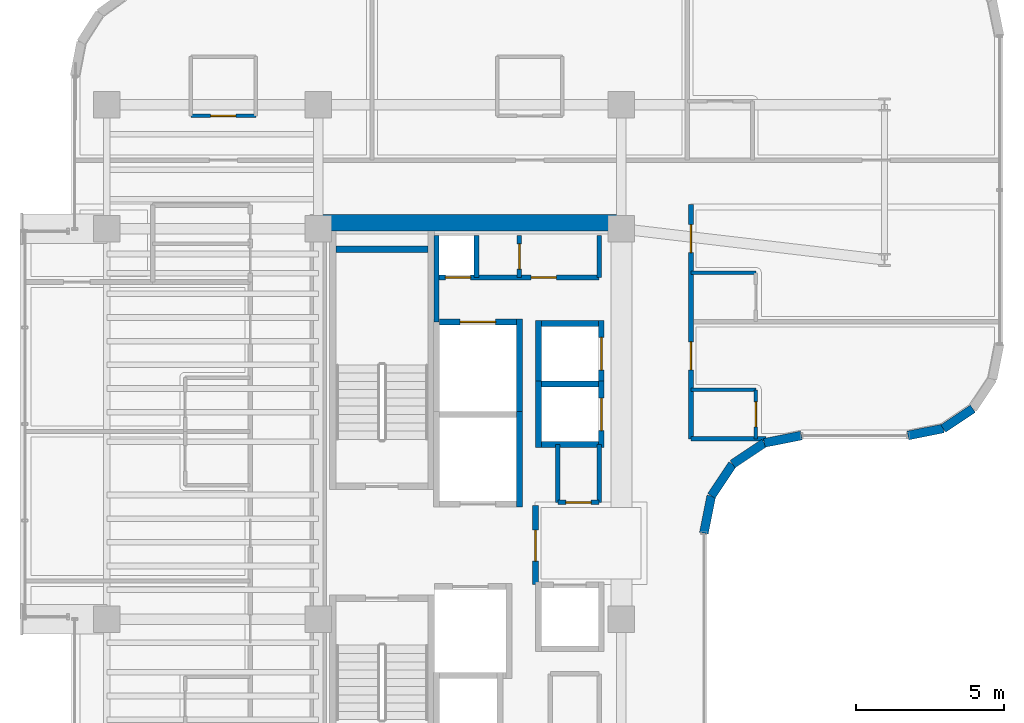
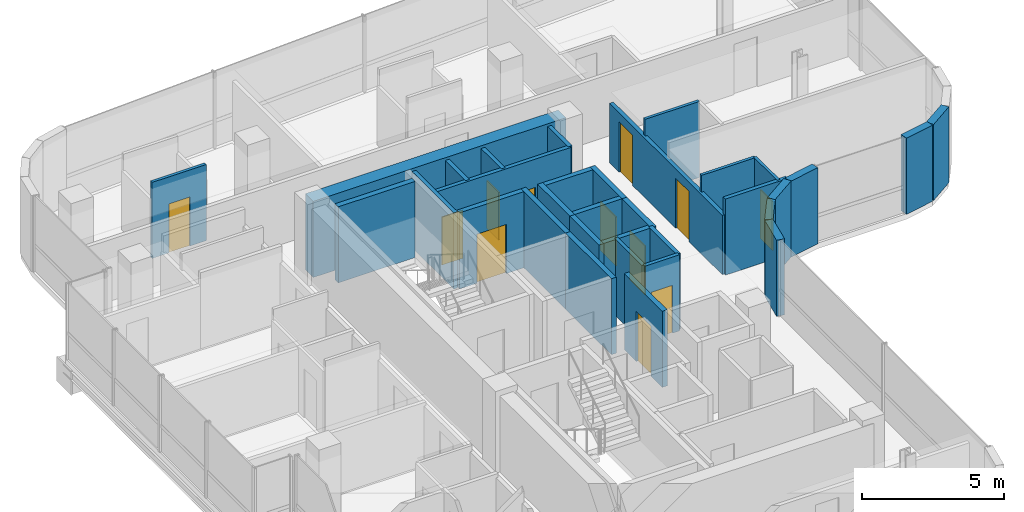
# One storey, part 18 of 22: 33 walls, 12 doors, 12 openings.
"""IFC4 building model written with IfcOpenShell, lengths in metres."""

from ifc_helpers import new_model, si_unit, direction, frame, frame_2d, origin, place, context, subcontext, project, spatial, rectangle, extrude, material, layer, layer_set, type_object, element, fill, save


model = new_model("IFC4")

# Units and contexts
model_context = context("Model", 3, precision=1e-05, world=origin(), true_north=direction((0.0, 1.0)))
body_context = subcontext(model_context, "Body", "Model", "MODEL_VIEW")
ifc_project = project(units=[si_unit("LENGTHUNIT", "METRE"), si_unit("AREAUNIT", "SQUARE_METRE"), si_unit("VOLUMEUNIT", "CUBIC_METRE"), si_unit("PLANEANGLEUNIT", "RADIAN"), si_unit("MASSUNIT", "GRAM", prefix="KILO")], contexts=[model_context])

# Site, building, storey
site_placement = place(None, origin())
site = spatial("IfcSite", under=ifc_project, at=site_placement, CompositionType="ELEMENT")
building_placement = place(site_placement, origin())
building = spatial("IfcBuilding", under=site, at=building_placement, Name="Valdorenza Pilgrim Sanctuary Tower", CompositionType="ELEMENT")
storey_placement = place(building_placement, frame((0.0, 0.0, 212.5)))
storey = spatial("IfcBuildingStorey", under=building, at=storey_placement, Name="L54", CompositionType="ELEMENT", Elevation=212.5)

# Wall
ifc_material_1 = material(Name="Acoustic twin-stud gypsum partition", Category="gypsum")
ifc_layer_1 = layer(ifc_material_1, 0.159912109375, Name="Acoustic twin-stud gypsum partition")
ifc_layer_set_1 = layer_set([ifc_layer_1], Name="Acoustic twin-stud gypsum partition")
wall_type_1 = type_object("IfcWallType", Name="WAL-COR-160", PredefinedType="PARTITIONING", material=ifc_layer_set_1)
wall_1_placement = place(storey_placement, frame((-18.64990234375, 7.449951171875, 0.0), z_axis=(0.0, 0.0, 1.0), x_axis=(0.0, 1.0, 0.0)))
element("IfcWall", 1, at=wall_1_placement, inside=storey, type_object=wall_type_1, Name="L54 Core A North Service West Wall", PredefinedType="PARTITIONING", context=body_context, shape_type="SweptSolid", body=[
    extrude(rectangle(XDim=2.929931640625, YDim=0.159912109375, at=frame_2d((1.46484375, 0.0))), origin(), (0.0, 0.0, 1.0), 3.260009765625),
])

# Wall, openings, doors
wall_2_placement = place(storey_placement, frame((-18.64990234375, 8.949951171875, 0.0), z_axis=(0.0, 0.0, 1.0), x_axis=(1.0, 0.0, 0.0)))
wall_2 = element("IfcWall", 2, at=wall_2_placement, inside=storey, type_object=wall_type_1, Name="L54 Core A North Service South Wall", PredefinedType="PARTITIONING", context=body_context, shape_type="SweptSolid", body=[
    extrude(rectangle(XDim=5.5, YDim=0.159912109375, at=frame_2d((2.75, 0.0))), origin(), (0.0, 0.0, 1.0), 3.260009765625),
])
opening_1_placement = place(wall_2_placement, frame((0.300048828125, 0.0, 0.0)))
opening_1 = element("IfcOpeningElement", 3, at=opening_1_placement, cuts=wall_2, Name="Opening DR-RS1", PredefinedType="OPENING", context=body_context, shape_type="SweptSolid", body=[
    extrude(rectangle(XDim=0.85009765625, YDim=2.050048828125, at=frame_2d((0.425048828125, 1.02490234375))), frame((0.0, 0.0947265625, 0.0), z_axis=(0.0, -1.0, 0.0), x_axis=(1.0, 0.0, 0.0)), (0.0, 0.0, 1.0), 0.189697265625),
])
opening_2_placement = place(wall_2_placement, frame((3.199951171875, 0.0, 0.0)))
opening_2 = element("IfcOpeningElement", 4, at=opening_2_placement, cuts=wall_2, Name="Opening DR-RS1", PredefinedType="OPENING", context=body_context, shape_type="SweptSolid", body=[
    extrude(rectangle(XDim=0.85009765625, YDim=2.050048828125, at=frame_2d((0.425048828125, 1.02490234375))), frame((0.0, 0.0947265625, 0.0), z_axis=(0.0, -1.0, 0.0), x_axis=(1.0, 0.0, 0.0)), (0.0, 0.0, 1.0), 0.189697265625),
])
ifc_material_2 = material(Name="Painted galvanized steel", Category="steel")
door_type_1 = type_object("IfcDoorType", Name="DR-RSR-850", OperationType="NOTDEFINED", PredefinedType="DOOR", material=ifc_material_2)
door_1_placement = place(opening_1_placement, origin())
door_1 = element("IfcDoor", 5, at=door_1_placement, inside=storey, type_object=door_type_1, Name="L54 Core Electrical and Telecom Riser Door", OperationType="SINGLE_SWING_LEFT", OverallHeight=2.050048828125, OverallWidth=0.85009765625, PredefinedType="DOOR", context=body_context, shape_type="SweptSolid", body=[
    extrude(rectangle(XDim=0.85009765625, YDim=2.050048828125, at=frame_2d((0.425048828125, 1.02490234375))), frame((0.0, 0.02490234375, 0.0), z_axis=(0.0, -1.0, 0.0), x_axis=(1.0, 0.0, 0.0)), (0.0, 0.0, 1.0), 0.050048828125),
])
fill(opening_1, door_1)
door_2_placement = place(opening_2_placement, origin())
door_2 = element("IfcDoor", 6, at=door_2_placement, inside=storey, type_object=door_type_1, Name="L54 Housekeeping and Clean Linen Room Door", OperationType="SINGLE_SWING_RIGHT", OverallHeight=2.050048828125, OverallWidth=0.85009765625, PredefinedType="DOOR", context=body_context, shape_type="SweptSolid", body=[
    extrude(rectangle(XDim=0.85009765625, YDim=2.050048828125, at=frame_2d((0.425048828125, 1.02490234375))), frame((0.0, 0.02490234375, 0.0), z_axis=(0.0, -1.0, 0.0), x_axis=(1.0, 0.0, 0.0)), (0.0, 0.0, 1.0), 0.050048828125),
])
fill(opening_2, door_2)

# Walls
for number, where, z_axis, x_axis, name in (
    (7, (-13.14990234375, 8.949951171875, 0.0), (0.0, 0.0, 1.0), (0.0, 1.0, 0.0), "L54 Core A North Service East Wall"),
    (8, (-17.300048828125, 8.949951171875, 0.0), (0.0, 0.0, 1.0), (0.0, 1.0, 0.0), "L54 Core Electrical Riser Wall"),
):
    element("IfcWall", number, at=place(storey_placement, frame(where, z_axis=z_axis, x_axis=x_axis)), inside=storey, type_object=wall_type_1, Name=name, PredefinedType="PARTITIONING", context=body_context, shape_type="SweptSolid", body=[
        extrude(rectangle(XDim=1.429931640625, YDim=0.159912109375, at=frame_2d((0.71484375, 0.0))), origin(), (0.0, 0.0, 1.0), 3.260009765625),
    ])

# Wall, opening, door
wall_3_placement = place(storey_placement, frame((-15.85009765625, 8.949951171875, 0.0), z_axis=(0.0, 0.0, 1.0), x_axis=(0.0, 1.0, 0.0)))
wall_3 = element("IfcWall", 9, at=wall_3_placement, inside=storey, type_object=wall_type_1, Name="L54 Core A Split C", PredefinedType="PARTITIONING", context=body_context, shape_type="SweptSolid", body=[
    extrude(rectangle(XDim=1.429931640625, YDim=0.159912109375, at=frame_2d((0.71484375, 0.0))), origin(), (0.0, 0.0, 1.0), 3.260009765625),
])
opening_3_placement = place(wall_3_placement, frame((0.2900390625, 0.0, 0.0)))
opening_3 = element("IfcOpeningElement", 10, at=opening_3_placement, cuts=wall_3, Name="Opening DR-RS1", PredefinedType="OPENING", context=body_context, shape_type="SweptSolid", body=[
    extrude(rectangle(XDim=0.85009765625, YDim=2.050048828125, at=frame_2d((0.425048828125, 1.02490234375))), frame((0.0, 0.0947265625, 0.0), z_axis=(0.0, -1.0, 0.0), x_axis=(1.0, 0.0, 0.0)), (0.0, 0.0, 1.0), 0.189697265625),
])
door_3_placement = place(opening_3_placement, origin())
door_3 = element("IfcDoor", 11, at=door_3_placement, inside=storey, type_object=door_type_1, Name="L54 Clean Linen Supply Store Door", OperationType="SINGLE_SWING_LEFT", OverallHeight=2.050048828125, OverallWidth=0.85009765625, PredefinedType="DOOR", context=body_context, shape_type="SweptSolid", body=[
    extrude(rectangle(XDim=0.85009765625, YDim=2.050048828125, at=frame_2d((0.425048828125, 1.02490234375))), frame((0.0, 0.02490234375, 0.0), z_axis=(0.0, -1.0, 0.0), x_axis=(1.0, 0.0, 0.0)), (0.0, 0.0, 1.0), 0.050048828125),
])
fill(opening_3, door_3)

# Wall
wall_4_placement = place(storey_placement, frame((-13.14990234375, 1.35009765625, 0.0), z_axis=(0.0, 0.0, 1.0), x_axis=(0.0, 1.0, 0.0)))
element("IfcWall", 12, at=wall_4_placement, inside=storey, type_object=wall_type_1, Name="L54 Freed Shaft 6 East Wall", PredefinedType="PARTITIONING", context=body_context, shape_type="SweptSolid", body=[
    extrude(rectangle(XDim=1.949951171875, YDim=0.159912109375, at=frame_2d((0.97509765625, 0.0))), origin(), (0.0, 0.0, 1.0), 3.260009765625),
])

# Wall, openings, doors
wall_5_placement = place(storey_placement, frame((-10.050048828125, 3.5, 0.0), z_axis=(0.0, 0.0, 1.0), x_axis=(0.0, 1.0, 0.0)))
wall_5 = element("IfcWall", 13, at=wall_5_placement, inside=storey, type_object=wall_type_1, Name="L54 East Stub Corridor Wall", PredefinedType="PARTITIONING", context=body_context, shape_type="SweptSolid", body=[
    extrude(rectangle(XDim=7.919921875, YDim=0.159912109375, at=frame_2d((3.9599609375, 0.0))), origin(), (0.0, 0.0, 1.0), 2.5439453125),
])
opening_4_placement = place(wall_5_placement, frame((2.330078125, 0.0, 0.0)))
opening_4 = element("IfcOpeningElement", 14, at=opening_4_placement, cuts=wall_5, Name="Opening DR-UN1", PredefinedType="OPENING", context=body_context, shape_type="SweptSolid", body=[
    extrude(rectangle(XDim=0.949951171875, YDim=2.14990234375, at=frame_2d((0.47509765625, 1.074951171875))), frame((0.0, 0.0947265625, 0.0), z_axis=(0.0, -1.0, 0.0), x_axis=(1.0, 0.0, 0.0)), (0.0, 0.0, 1.0), 0.189697265625),
])
opening_5_placement = place(wall_5_placement, frame((6.2900390625, 0.0, 0.0)))
opening_5 = element("IfcOpeningElement", 15, at=opening_5_placement, cuts=wall_5, Name="Opening DR-UN1", PredefinedType="OPENING", context=body_context, shape_type="SweptSolid", body=[
    extrude(rectangle(XDim=0.949951171875, YDim=2.14990234375, at=frame_2d((0.47509765625, 1.074951171875))), frame((0.0, 0.0947265625, 0.0), z_axis=(0.0, -1.0, 0.0), x_axis=(1.0, 0.0, 0.0)), (0.0, 0.0, 1.0), 0.189697265625),
])
ifc_material_3 = material(Name="Solid-core European oak timber", Category="wood")
door_type_2 = type_object("IfcDoorType", Name="DR-UNIT-950", OperationType="NOTDEFINED", PredefinedType="DOOR", material=ifc_material_3)
door_4_placement = place(opening_4_placement, origin())
door_4 = element("IfcDoor", 16, at=door_4_placement, inside=storey, type_object=door_type_2, Name="L54 East Sanctuary Guest Room L54-E1 Entrance Door", OperationType="SINGLE_SWING_RIGHT", OverallHeight=2.14990234375, OverallWidth=0.949951171875, PredefinedType="DOOR", context=body_context, shape_type="SweptSolid", body=[
    extrude(rectangle(XDim=0.949951171875, YDim=2.14990234375, at=frame_2d((0.47509765625, 1.074951171875))), frame((0.0, 0.02490234375, 0.0), z_axis=(0.0, -1.0, 0.0), x_axis=(1.0, 0.0, 0.0)), (0.0, 0.0, 1.0), 0.050048828125),
])
fill(opening_4, door_4)
door_5_placement = place(opening_5_placement, origin())
door_5 = element("IfcDoor", 17, at=door_5_placement, inside=storey, type_object=door_type_2, Name="L54 East Sanctuary Guest Room L54-E2 Entrance Door", OperationType="SINGLE_SWING_RIGHT", OverallHeight=2.14990234375, OverallWidth=0.949951171875, PredefinedType="DOOR", context=body_context, shape_type="SweptSolid", body=[
    extrude(rectangle(XDim=0.949951171875, YDim=2.14990234375, at=frame_2d((0.47509765625, 1.074951171875))), frame((0.0, 0.02490234375, 0.0), z_axis=(0.0, -1.0, 0.0), x_axis=(1.0, 0.0, 0.0)), (0.0, 0.0, 1.0), 0.050048828125),
])
fill(opening_5, door_5)

# Walls
wall_6_placement = place(storey_placement, frame((-10.050048828125, 3.5, 0.0), z_axis=(0.0, 0.0, 1.0), x_axis=(1.0, 0.0, 0.0)))
element("IfcWall", 18, at=wall_6_placement, inside=storey, type_object=wall_type_1, Name="L54 East Stub South Wall", PredefinedType="PARTITIONING", context=body_context, shape_type="SweptSolid", body=[
    extrude(rectangle(XDim=2.545654296875, YDim=0.159912109375, at=frame_2d((1.27294921875, 0.0))), origin(), (0.0, 0.0, 1.0), 3.260009765625),
])
ifc_material_4 = material(Name="Concrete C50/60", Category="concrete")
ifc_layer_2 = layer(ifc_material_4, 0.550048828125, Name="Concrete C50/60")
ifc_layer_set_2 = layer_set([ifc_layer_2], Name="Concrete C50/60")
wall_type_2 = type_object("IfcWallType", Name="WAL-COR-550", PredefinedType="SHEAR", material=ifc_layer_set_2)
wall_7_placement = place(storey_placement, frame((-22.64990234375, 10.800048828125, 0.0), z_axis=(0.0, 0.0, 1.0), x_axis=(1.0, 0.0, 0.0)))
element("IfcWall", 19, at=wall_7_placement, inside=storey, type_object=wall_type_2, Name="L54 Split Core A Shear Wall N", PredefinedType="SHEAR", context=body_context, shape_type="SweptSolid", body=[
    extrude(rectangle(XDim=10.25, YDim=0.550048828125, at=frame_2d((5.125, 0.0))), origin(), (0.0, 0.0, 1.0), 3.260009765625),
])
ifc_material_5 = material(Name="Honed travertine limestone", Category="masonry")
ifc_layer_3 = layer(ifc_material_5, 0.300048828125, Name="Honed travertine limestone")
ifc_layer_set_3 = layer_set([ifc_layer_3], Name="Honed travertine limestone")
wall_type_3 = type_object("IfcWallType", Name="WAL-EXT-300", PredefinedType="SOLIDWALL", material=ifc_layer_set_3)
wall_8_placement = place(storey_placement, frame((-0.5166015625, 4.5166015625, 0.0), z_axis=(0.0, 0.0, 1.0), x_axis=(-0.831426265255, -0.555635100982, 0.0)))
element("IfcWall", 20, at=wall_8_placement, inside=storey, type_object=wall_type_3, Name="L54 Rounded Wind-Corner Stone Pier 14", PredefinedType="SOLIDWALL", context=body_context, shape_type="SweptSolid", body=[
    extrude(rectangle(XDim=1.204833984375, YDim=0.300048828125, at=frame_2d((0.6025390625, 0.0))), origin(), (0.0, 0.0, 1.0), 3.260009765625),
])
wall_9_placement = place(storey_placement, frame((-1.518310546875, 3.84716796875, 0.0), z_axis=(0.0, 0.0, 1.0), x_axis=(-0.980804027463, -0.194996050505, 0.0)))
element("IfcWall", 21, at=wall_9_placement, inside=storey, type_object=wall_type_3, Name="L54 Rounded Wind-Corner Stone Pier 15", PredefinedType="SOLIDWALL", context=body_context, shape_type="SweptSolid", body=[
    extrude(rectangle(XDim=1.2158203125, YDim=0.300048828125, at=frame_2d((0.60791015625, 0.0))), origin(), (0.0, 0.0, 1.0), 3.260009765625),
])
wall_10_placement = place(storey_placement, frame((-6.310791015625, 3.610107421875, 0.0), z_axis=(0.0, 0.0, 1.0), x_axis=(-0.980778058848, -0.195126623715, 0.0)))
element("IfcWall", 22, at=wall_10_placement, inside=storey, type_object=wall_type_3, Name="L54 Rounded Wind-Corner Stone Pier 17", PredefinedType="SOLIDWALL", context=body_context, shape_type="SweptSolid", body=[
    extrude(rectangle(XDim=1.28125, YDim=0.300048828125, at=frame_2d((0.640625, 0.0))), origin(), (0.0, 0.0, 1.0), 3.260009765625),
])
for number, where, z_axis, x_axis, name in (
    (23, (-7.5673828125, 3.360107421875, 0.0), (0.0, 0.0, 1.0), (-0.831497739511, -0.555528135371, 0.0), "L54 Rounded Wind-Corner Stone Pier 18"),
    (24, (-8.64208984375, 2.64208984375, 0.0), (0.0, 0.0, 1.0), (-0.555528135371, -0.831497739511, 0.0), "L54 Rounded Wind-Corner Stone Pier 19"),
):
    element("IfcWall", number, at=place(storey_placement, frame(where, z_axis=z_axis, x_axis=x_axis)), inside=storey, type_object=wall_type_3, Name=name, PredefinedType="SOLIDWALL", context=body_context, shape_type="SweptSolid", body=[
        extrude(rectangle(XDim=1.29248046875, YDim=0.300048828125, at=frame_2d((0.646240234375, 0.0))), origin(), (0.0, 0.0, 1.0), 3.260009765625),
    ])
wall_11_placement = place(storey_placement, frame((-9.360107421875, 1.5673828125, 0.0), z_axis=(0.0, 0.0, 1.0), x_axis=(-0.195126623715, -0.980778058848, 0.0)))
element("IfcWall", 25, at=wall_11_placement, inside=storey, type_object=wall_type_3, Name="L54 Rounded Wind-Corner Stone Pier 20", PredefinedType="SOLIDWALL", context=body_context, shape_type="SweptSolid", body=[
    extrude(rectangle(XDim=1.28125, YDim=0.300048828125, at=frame_2d((0.640625, 0.0))), origin(), (0.0, 0.0, 1.0), 3.260009765625),
])

# Wall, opening, door
ifc_material_6 = material(Name="Gypsum shaftwall partition", Category="gypsum")
ifc_layer_4 = layer(ifc_material_6, 0.199951171875, Name="Gypsum shaftwall partition")
ifc_layer_set_4 = layer_set([ifc_layer_4], Name="Gypsum shaftwall partition")
wall_type_4 = type_object("IfcWallType", Name="WAL-FFL-200", PredefinedType="PARTITIONING", material=ifc_layer_set_4)
wall_12_placement = place(storey_placement, frame((-15.300048828125, -1.419921875, 0.0), z_axis=(0.0, 0.0, 1.0), x_axis=(0.0, 1.0, 0.0)))
wall_12 = element("IfcWall", 26, at=wall_12_placement, inside=storey, type_object=wall_type_4, Name="L54 Core A Firefighting Lobby East Wall", PredefinedType="PARTITIONING", context=body_context, shape_type="SweptSolid", body=[
    extrude(rectangle(XDim=2.669921875, YDim=0.199951171875, at=frame_2d((1.3349609375, 0.0))), origin(), (0.0, 0.0, 1.0), 3.260009765625),
])
opening_6_placement = place(wall_12_placement, frame((0.780029296875, 0.0, 0.0)))
opening_6 = element("IfcOpeningElement", 27, at=opening_6_placement, cuts=wall_12, Name="Opening DR-FL1", PredefinedType="OPENING", context=body_context, shape_type="SweptSolid", body=[
    extrude(rectangle(XDim=1.050048828125, YDim=2.14990234375, at=frame_2d((0.52490234375, 1.074951171875))), frame((0.0, 0.11474609375, 0.0), z_axis=(0.0, -1.0, 0.0), x_axis=(1.0, 0.0, 0.0)), (0.0, 0.0, 1.0), 0.229736328125),
])
door_type_3 = type_object("IfcDoorType", Name="DR-FFL-1050", OperationType="NOTDEFINED", PredefinedType="DOOR", material=ifc_material_2)
door_6_placement = place(opening_6_placement, origin())
door_6 = element("IfcDoor", 28, at=door_6_placement, inside=storey, type_object=door_type_3, Name="L54 Core A Firefighting Lobby Door", OperationType="SINGLE_SWING_RIGHT", OverallHeight=2.14990234375, OverallWidth=1.050048828125, PredefinedType="DOOR", context=body_context, shape_type="SweptSolid", body=[
    extrude(rectangle(XDim=1.050048828125, YDim=2.14990234375, at=frame_2d((0.52490234375, 1.074951171875))), frame((0.0, 0.02490234375, 0.0), z_axis=(0.0, -1.0, 0.0), x_axis=(1.0, 0.0, 0.0)), (0.0, 0.0, 1.0), 0.050048828125),
])
fill(opening_6, door_6)

ifc_material_7 = material(Name="Moisture-resistant gypsum partition", Category="gypsum")
ifc_layer_5 = layer(ifc_material_7, 0.1201171875, Name="Moisture-resistant gypsum partition")
ifc_layer_set_5 = layer_set([ifc_layer_5], Name="Moisture-resistant gypsum partition")
wall_type_5 = type_object("IfcWallType", Name="WAL-INT-120", PredefinedType="PARTITIONING", material=ifc_layer_set_5)
wall_13_placement = place(storey_placement, frame((-26.96142578125, 14.419921875, 0.0), z_axis=(0.0, 0.0, 1.0), x_axis=(1.0, 0.0, 0.0)))
wall_13 = element("IfcWall", 29, at=wall_13_placement, inside=storey, type_object=wall_type_5, Name="L54 North Guest Room L54-N1 En-suite Door Wall", PredefinedType="PARTITIONING", context=body_context, shape_type="SweptSolid", body=[
    extrude(rectangle(XDim=2.199951171875, YDim=0.1201171875, at=frame_2d((1.10009765625, 0.0))), origin(), (0.0, 0.0, 1.0), 3.260009765625),
])
opening_7_placement = place(wall_13_placement, frame((0.675048828125, 0.0, 0.0)))
opening_7 = element("IfcOpeningElement", 30, at=opening_7_placement, cuts=wall_13, Name="Opening DR-WC1", PredefinedType="OPENING", context=body_context, shape_type="SweptSolid", body=[
    extrude(rectangle(XDim=0.85009765625, YDim=2.10009765625, at=frame_2d((0.425048828125, 1.050048828125))), frame((0.0, 0.074951171875, 0.0), z_axis=(0.0, -1.0, 0.0), x_axis=(1.0, 0.0, 0.0)), (0.0, 0.0, 1.0), 0.14990234375),
])
ifc_material_8 = material(Name="Moisture-resistant lacquered timber", Category="wood")
door_type_4 = type_object("IfcDoorType", Name="DR-BATH-850", OperationType="NOTDEFINED", PredefinedType="DOOR", material=ifc_material_8)
door_7_placement = place(opening_7_placement, origin())
door_7 = element("IfcDoor", 31, at=door_7_placement, inside=storey, type_object=door_type_4, Name="L54 North Guest Room L54-N1 En-suite Bathroom Door", OperationType="SINGLE_SWING_LEFT", OverallHeight=2.10009765625, OverallWidth=0.85009765625, PredefinedType="DOOR", context=body_context, shape_type="SweptSolid", body=[
    extrude(rectangle(XDim=0.85009765625, YDim=2.10009765625, at=frame_2d((0.425048828125, 1.050048828125))), frame((0.0, 0.02490234375, 0.0), z_axis=(0.0, -1.0, 0.0), x_axis=(1.0, 0.0, 0.0)), (0.0, 0.0, 1.0), 0.050048828125),
])
fill(opening_7, door_7)

# Wall
wall_14_placement = place(storey_placement, frame((-10.050048828125, 5.14990234375, 0.0), z_axis=(0.0, 0.0, 1.0), x_axis=(1.0, 0.0, 0.0)))
element("IfcWall", 32, at=wall_14_placement, inside=storey, type_object=wall_type_5, Name="L54 East Sanctuary Guest Room L54-E1 En-suite North Wall", PredefinedType="PARTITIONING", context=body_context, shape_type="SweptSolid", body=[
    extrude(rectangle(XDim=2.199951171875, YDim=0.1201171875, at=frame_2d((1.10009765625, 0.0))), origin(), (0.0, 0.0, 1.0), 3.260009765625),
])

# Wall, opening, door
wall_15_placement = place(storey_placement, frame((-7.85009765625, 3.5, 0.0), z_axis=(0.0, 0.0, 1.0), x_axis=(0.0, 1.0, 0.0)))
wall_15 = element("IfcWall", 33, at=wall_15_placement, inside=storey, type_object=wall_type_5, Name="L54 East Sanctuary Guest Room L54-E1 En-suite Door Wall", PredefinedType="PARTITIONING", context=body_context, shape_type="SweptSolid", body=[
    extrude(rectangle(XDim=1.64990234375, YDim=0.1201171875, at=frame_2d((0.824951171875, 0.0))), origin(), (0.0, 0.0, 1.0), 3.260009765625),
])
opening_8_placement = place(wall_15_placement, frame((0.39990234375, 0.0, 0.0)))
opening_8 = element("IfcOpeningElement", 34, at=opening_8_placement, cuts=wall_15, Name="Opening DR-WC1", PredefinedType="OPENING", context=body_context, shape_type="SweptSolid", body=[
    extrude(rectangle(XDim=0.85009765625, YDim=2.10009765625, at=frame_2d((0.425048828125, 1.050048828125))), frame((0.0, 0.074951171875, 0.0), z_axis=(0.0, -1.0, 0.0), x_axis=(1.0, 0.0, 0.0)), (0.0, 0.0, 1.0), 0.14990234375),
])
door_8_placement = place(opening_8_placement, origin())
door_8 = element("IfcDoor", 35, at=door_8_placement, inside=storey, type_object=door_type_4, Name="L54 East Sanctuary Guest Room L54-E1 En-suite Bathroom Door", OperationType="SINGLE_SWING_LEFT", OverallHeight=2.10009765625, OverallWidth=0.85009765625, PredefinedType="DOOR", context=body_context, shape_type="SweptSolid", body=[
    extrude(rectangle(XDim=0.85009765625, YDim=2.10009765625, at=frame_2d((0.425048828125, 1.050048828125))), frame((0.0, 0.02490234375, 0.0), z_axis=(0.0, -1.0, 0.0), x_axis=(1.0, 0.0, 0.0)), (0.0, 0.0, 1.0), 0.050048828125),
])
fill(opening_8, door_8)

# Walls
wall_16_placement = place(storey_placement, frame((-10.050048828125, 9.110107421875, 0.0), z_axis=(0.0, 0.0, 1.0), x_axis=(1.0, 0.0, 0.0)))
element("IfcWall", 36, at=wall_16_placement, inside=storey, type_object=wall_type_5, Name="L54 East Sanctuary Guest Room L54-E2 En-suite North Wall", PredefinedType="PARTITIONING", context=body_context, shape_type="SweptSolid", body=[
    extrude(rectangle(XDim=2.199951171875, YDim=0.1201171875, at=frame_2d((1.10009765625, 0.0))), origin(), (0.0, 0.0, 1.0), 3.260009765625),
])
ifc_material_9 = material(Name="Autoclaved aerated concrete blockwork", Category="masonry")
ifc_layer_6 = layer(ifc_material_9, 0.199951171875, Name="Autoclaved aerated concrete blockwork")
ifc_layer_set_6 = layer_set([ifc_layer_6], Name="Autoclaved aerated concrete blockwork")
wall_type_6 = type_object("IfcWallType", Name="WAL-SHF-200", PredefinedType="MOVABLE", material=ifc_layer_set_6)
wall_17_placement = place(storey_placement, frame((-15.85009765625, 1.199951171875, 0.0), z_axis=(0.0, 0.0, 1.0), x_axis=(0.0, 1.0, 0.0)))
element("IfcWall", 37, at=wall_17_placement, inside=storey, type_object=wall_type_6, Name="L54 Lift FFL-01 Hoistway Wall East", PredefinedType="MOVABLE", context=body_context, shape_type="SweptSolid", body=[
    extrude(rectangle(XDim=3.22509765625, YDim=0.199951171875, at=frame_2d((1.612548828125, 0.0))), origin(), (0.0, 0.0, 1.0), 3.260009765625),
])
wall_18_placement = place(storey_placement, frame((-15.85009765625, 4.22509765625, 0.0), z_axis=(0.0, 0.0, 1.0), x_axis=(0.0, 1.0, 0.0)))
element("IfcWall", 38, at=wall_18_placement, inside=storey, type_object=wall_type_6, Name="L54 Lift SVL-01 Hoistway Wall East", PredefinedType="MOVABLE", context=body_context, shape_type="SweptSolid", body=[
    extrude(rectangle(XDim=3.324951171875, YDim=0.199951171875, at=frame_2d((1.66259765625, 0.0))), origin(), (0.0, 0.0, 1.0), 3.260009765625),
])

# Wall, opening, door
wall_19_placement = place(storey_placement, frame((-18.550048828125, 7.449951171875, 0.0), z_axis=(0.0, 0.0, 1.0), x_axis=(1.0, 0.0, 0.0)))
wall_19 = element("IfcWall", 39, at=wall_19_placement, inside=storey, type_object=wall_type_6, Name="L54 Lift SVL-01 Hoistway Wall North", PredefinedType="MOVABLE", context=body_context, shape_type="SweptSolid", body=[
    extrude(rectangle(XDim=2.60009765625, YDim=0.199951171875, at=frame_2d((1.300048828125, 0.0))), origin(), (0.0, 0.0, 1.0), 3.260009765625),
])
opening_9_placement = place(wall_19_placement, frame((0.699951171875, 0.0, 0.0)))
opening_9 = element("IfcOpeningElement", 40, at=opening_9_placement, cuts=wall_19, Name="Opening LD-02", PredefinedType="OPENING", context=body_context, shape_type="SweptSolid", body=[
    extrude(rectangle(XDim=1.199951171875, YDim=2.10009765625, at=frame_2d((0.60009765625, 1.050048828125))), frame((0.0, 0.11474609375, 0.0), z_axis=(0.0, -1.0, 0.0), x_axis=(1.0, 0.0, 0.0)), (0.0, 0.0, 1.0), 0.229736328125),
])
ifc_material_10 = material(Name="Brushed stainless steel Grade 316", Category="steel")
door_type_5 = type_object("IfcDoorType", Name="DR-LFT-1200", OperationType="DOUBLE_DOOR_SLIDING", PredefinedType="DOOR", material=ifc_material_10)
door_9_placement = place(opening_9_placement, origin())
door_9 = element("IfcDoor", 41, at=door_9_placement, inside=storey, type_object=door_type_5, Name="L54 Lift SVL-01 Sliding Landing Door", OperationType="DOUBLE_DOOR_SLIDING", OverallHeight=2.10009765625, OverallWidth=1.199951171875, PredefinedType="DOOR", context=body_context, shape_type="SweptSolid", body=[
    extrude(rectangle(XDim=1.199951171875, YDim=2.10009765625, at=frame_2d((0.60009765625, 1.050048828125))), frame((0.0, 0.02490234375, 0.0), z_axis=(0.0, -1.0, 0.0), x_axis=(1.0, 0.0, 0.0)), (0.0, 0.0, 1.0), 0.050048828125),
])
fill(opening_9, door_9)

# Wall
wall_20_placement = place(storey_placement, frame((-15.199951171875, 3.199951171875, 0.0), z_axis=(0.0, 0.0, 1.0), x_axis=(0.0, 1.0, 0.0)))
element("IfcWall", 42, at=wall_20_placement, inside=storey, type_object=wall_type_6, Name="L54 Lift PL-09 Hoistway Wall West", PredefinedType="MOVABLE", context=body_context, shape_type="SweptSolid", body=[
    extrude(rectangle(XDim=2.25, YDim=0.199951171875, at=frame_2d((1.125, 0.0))), origin(), (0.0, 0.0, 1.0), 3.260009765625),
])

# Wall, opening, door
wall_21_placement = place(storey_placement, frame((-13.080078125, 3.199951171875, 0.0), z_axis=(0.0, 0.0, 1.0), x_axis=(0.0, 1.0, 0.0)))
wall_21 = element("IfcWall", 43, at=wall_21_placement, inside=storey, type_object=wall_type_6, Name="L54 Lift PL-09 Hoistway Wall East", PredefinedType="MOVABLE", context=body_context, shape_type="SweptSolid", body=[
    extrude(rectangle(XDim=2.25, YDim=0.199951171875, at=frame_2d((1.125, 0.0))), origin(), (0.0, 0.0, 1.0), 3.260009765625),
])
opening_10_placement = place(wall_21_placement, frame((0.574951171875, 0.0, 0.0)))
opening_10 = element("IfcOpeningElement", 44, at=opening_10_placement, cuts=wall_21, Name="Opening LD-01", PredefinedType="OPENING", context=body_context, shape_type="SweptSolid", body=[
    extrude(rectangle(XDim=1.10009765625, YDim=2.10009765625, at=frame_2d((0.550048828125, 1.050048828125))), frame((0.0, 0.11474609375, 0.0), z_axis=(0.0, -1.0, 0.0), x_axis=(1.0, 0.0, 0.0)), (0.0, 0.0, 1.0), 0.229736328125),
])
door_type_6 = type_object("IfcDoorType", Name="DR-LFT-1100", OperationType="DOUBLE_DOOR_SLIDING", PredefinedType="DOOR", material=ifc_material_10)
door_10_placement = place(opening_10_placement, origin())
door_10 = element("IfcDoor", 45, at=door_10_placement, inside=storey, type_object=door_type_6, Name="L54 Lift PL-09 Sliding Landing Door", OperationType="DOUBLE_DOOR_SLIDING", OverallHeight=2.10009765625, OverallWidth=1.10009765625, PredefinedType="DOOR", context=body_context, shape_type="SweptSolid", body=[
    extrude(rectangle(XDim=1.10009765625, YDim=2.10009765625, at=frame_2d((0.550048828125, 1.050048828125))), frame((0.0, 0.02490234375, 0.0), z_axis=(0.0, -1.0, 0.0), x_axis=(1.0, 0.0, 0.0)), (0.0, 0.0, 1.0), 0.050048828125),
])
fill(opening_10, door_10)

# Walls
for number, where, z_axis, x_axis, name in (
    (46, (-15.10009765625, 3.300048828125, 0.0), (0.0, 0.0, 1.0), (1.0, 0.0, 0.0), "L54 Lift PL-09 Hoistway Wall South"),
    (47, (-15.10009765625, 5.35009765625, 0.0), (0.0, 0.0, 1.0), (1.0, 0.0, 0.0), "L54 Lift PL-09 Hoistway Wall North"),
):
    element("IfcWall", number, at=place(storey_placement, frame(where, z_axis=z_axis, x_axis=x_axis)), inside=storey, type_object=wall_type_6, Name=name, PredefinedType="MOVABLE", context=body_context, shape_type="SweptSolid", body=[
        extrude(rectangle(XDim=1.920166015625, YDim=0.199951171875, at=frame_2d((0.9599609375, 0.0))), origin(), (0.0, 0.0, 1.0), 3.260009765625),
    ])
wall_22_placement = place(storey_placement, frame((-15.199951171875, 5.25, 0.0), z_axis=(0.0, 0.0, 1.0), x_axis=(0.0, 1.0, 0.0)))
element("IfcWall", 48, at=wall_22_placement, inside=storey, type_object=wall_type_6, Name="L54 Lift PL-10 Hoistway Wall West", PredefinedType="MOVABLE", context=body_context, shape_type="SweptSolid", body=[
    extrude(rectangle(XDim=2.25, YDim=0.199951171875, at=frame_2d((1.125, 0.0))), origin(), (0.0, 0.0, 1.0), 3.260009765625),
])

# Wall, opening, door
wall_23_placement = place(storey_placement, frame((-13.080078125, 5.25, 0.0), z_axis=(0.0, 0.0, 1.0), x_axis=(0.0, 1.0, 0.0)))
wall_23 = element("IfcWall", 49, at=wall_23_placement, inside=storey, type_object=wall_type_6, Name="L54 Lift PL-10 Hoistway Wall East", PredefinedType="MOVABLE", context=body_context, shape_type="SweptSolid", body=[
    extrude(rectangle(XDim=2.25, YDim=0.199951171875, at=frame_2d((1.125, 0.0))), origin(), (0.0, 0.0, 1.0), 3.260009765625),
])
opening_11_placement = place(wall_23_placement, frame((0.574951171875, 0.0, 0.0)))
opening_11 = element("IfcOpeningElement", 50, at=opening_11_placement, cuts=wall_23, Name="Opening LD-01", PredefinedType="OPENING", context=body_context, shape_type="SweptSolid", body=[
    extrude(rectangle(XDim=1.10009765625, YDim=2.10009765625, at=frame_2d((0.550048828125, 1.050048828125))), frame((0.0, 0.11474609375, 0.0), z_axis=(0.0, -1.0, 0.0), x_axis=(1.0, 0.0, 0.0)), (0.0, 0.0, 1.0), 0.229736328125),
])
door_11_placement = place(opening_11_placement, origin())
door_11 = element("IfcDoor", 51, at=door_11_placement, inside=storey, type_object=door_type_6, Name="L54 Lift PL-10 Sliding Landing Door", OperationType="DOUBLE_DOOR_SLIDING", OverallHeight=2.10009765625, OverallWidth=1.10009765625, PredefinedType="DOOR", context=body_context, shape_type="SweptSolid", body=[
    extrude(rectangle(XDim=1.10009765625, YDim=2.10009765625, at=frame_2d((0.550048828125, 1.050048828125))), frame((0.0, 0.02490234375, 0.0), z_axis=(0.0, -1.0, 0.0), x_axis=(1.0, 0.0, 0.0)), (0.0, 0.0, 1.0), 0.050048828125),
])
fill(opening_11, door_11)

# Walls
wall_24_placement = place(storey_placement, frame((-15.10009765625, 7.39990234375, 0.0), z_axis=(0.0, 0.0, 1.0), x_axis=(1.0, 0.0, 0.0)))
element("IfcWall", 52, at=wall_24_placement, inside=storey, type_object=wall_type_6, Name="L54 Lift PL-10 Hoistway Wall North", PredefinedType="MOVABLE", context=body_context, shape_type="SweptSolid", body=[
    extrude(rectangle(XDim=1.920166015625, YDim=0.199951171875, at=frame_2d((0.9599609375, 0.0))), origin(), (0.0, 0.0, 1.0), 3.260009765625),
])
ifc_material_11 = material(Name="Concrete C40/50", Category="concrete")
ifc_layer_7 = layer(ifc_material_11, 0.219970703125, Name="Concrete C40/50")
ifc_layer_set_7 = layer_set([ifc_layer_7], Name="Concrete C40/50")
wall_type_7 = type_object("IfcWallType", Name="WAL-STR-SHF-220", PredefinedType="SHEAR", material=ifc_layer_set_7)
wall_25_placement = place(storey_placement, frame((-22.050048828125, 9.909912109375, 0.0), z_axis=(0.0, 0.0, 1.0), x_axis=(1.0, 0.0, 0.0)))
element("IfcWall", 53, at=wall_25_placement, inside=storey, type_object=wall_type_7, Name="L54 ST-A1 Structural Stairwell Wall N", PredefinedType="SHEAR", context=body_context, shape_type="SweptSolid", body=[
    extrude(rectangle(XDim=3.110107421875, YDim=0.219970703125, at=frame_2d((1.55517578125, 0.0))), origin(), (0.0, 0.0, 1.0), 3.260009765625),
])
ifc_layer_8 = layer(ifc_material_1, 0.14990234375, Name="Acoustic twin-stud gypsum partition")
ifc_layer_set_8 = layer_set([ifc_layer_8], Name="Acoustic twin-stud gypsum partition")
wall_type_8 = type_object("IfcWallType", Name="WAL-UNT-150", PredefinedType="PARTITIONING", material=ifc_layer_set_8)
wall_26_placement = place(storey_placement, frame((-14.550048828125, 1.35009765625, 0.0), z_axis=(0.0, 0.0, 1.0), x_axis=(0.0, 1.0, 0.0)))
element("IfcWall", 54, at=wall_26_placement, inside=storey, type_object=wall_type_8, Name="L54 Freed Shaft 6 West Wall", PredefinedType="PARTITIONING", context=body_context, shape_type="SweptSolid", body=[
    extrude(rectangle(XDim=1.949951171875, YDim=0.14990234375, at=frame_2d((0.97509765625, 0.0))), origin(), (0.0, 0.0, 1.0), 3.260009765625),
])

# Wall, opening, door
wall_27_placement = place(storey_placement, frame((-14.550048828125, 1.35009765625, 0.0), z_axis=(0.0, 0.0, 1.0), x_axis=(1.0, 0.0, 0.0)))
wall_27 = element("IfcWall", 55, at=wall_27_placement, inside=storey, type_object=wall_type_8, Name="L54 Freed Shaft 6 South Wall", PredefinedType="PARTITIONING", context=body_context, shape_type="SweptSolid", body=[
    extrude(rectangle(XDim=1.400146484375, YDim=0.14990234375, at=frame_2d((0.7001953125, 0.0))), origin(), (0.0, 0.0, 1.0), 3.260009765625),
])
opening_12_placement = place(wall_27_placement, frame((0.27490234375, 0.0, 0.0)))
opening_12 = element("IfcOpeningElement", 56, at=opening_12_placement, cuts=wall_27, Name="Opening DR-RS1", PredefinedType="OPENING", context=body_context, shape_type="SweptSolid", body=[
    extrude(rectangle(XDim=0.85009765625, YDim=2.050048828125, at=frame_2d((0.425048828125, 1.02490234375))), frame((0.0, 0.08984375, 0.0), z_axis=(0.0, -1.0, 0.0), x_axis=(1.0, 0.0, 0.0)), (0.0, 0.0, 1.0), 0.1796875),
])
door_12_placement = place(opening_12_placement, origin())
door_12 = element("IfcDoor", 57, at=door_12_placement, inside=storey, type_object=door_type_1, Name="L54 High-Rise Butler Pantry Door", OperationType="SINGLE_SWING_RIGHT", OverallHeight=2.050048828125, OverallWidth=0.85009765625, PredefinedType="DOOR", context=body_context, shape_type="SweptSolid", body=[
    extrude(rectangle(XDim=0.85009765625, YDim=2.050048828125, at=frame_2d((0.425048828125, 1.02490234375))), frame((0.0, 0.02490234375, 0.0), z_axis=(0.0, -1.0, 0.0), x_axis=(1.0, 0.0, 0.0)), (0.0, 0.0, 1.0), 0.050048828125),
])
fill(opening_12, door_12)

save(model, "model.ifc")
